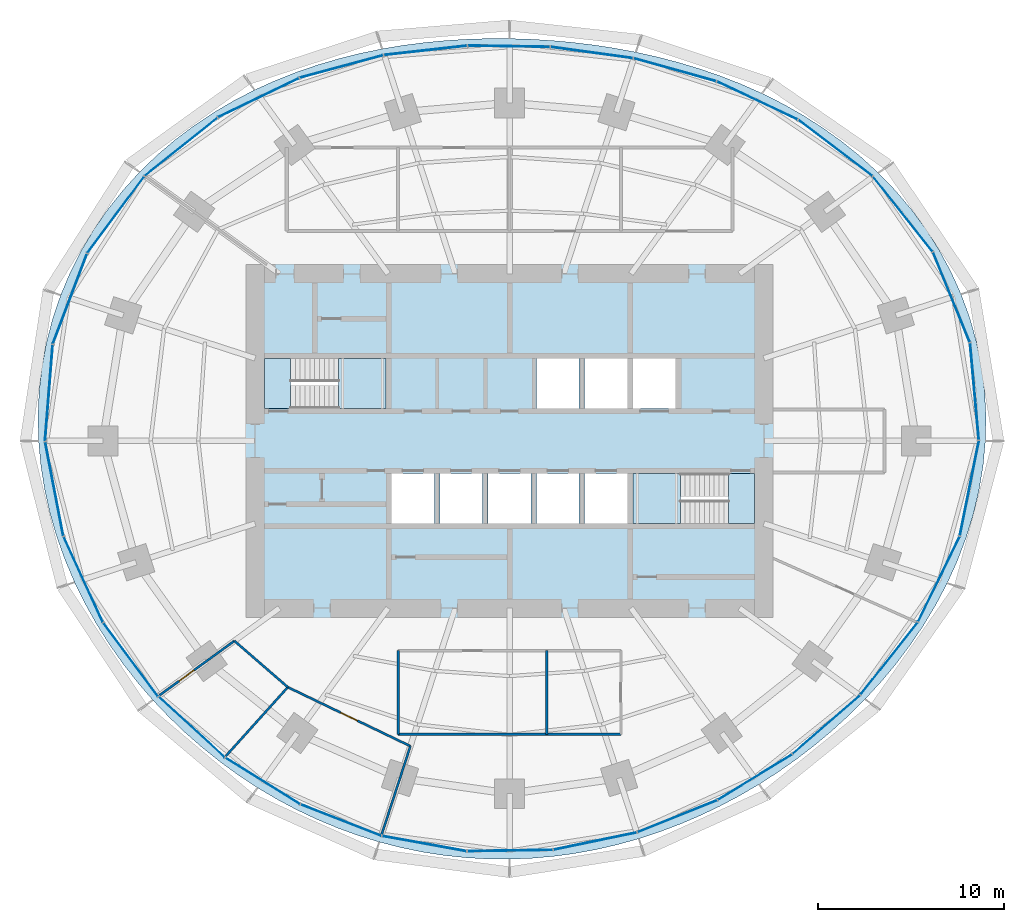
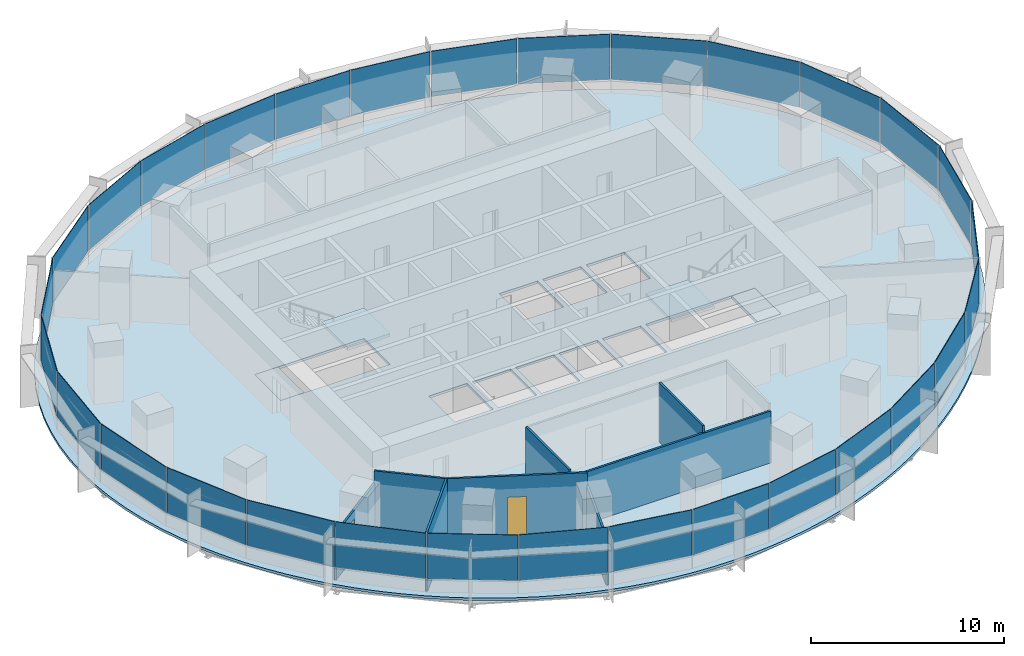
# One storey, part 9 of 14: 30 plates, 8 walls, 5 slabs, 2 doors, 2 openings, 8 elements without a shape of their own.
"""IFC4 building model written with IfcOpenShell, lengths in metres."""

from ifc_helpers import new_model, si_unit, direction, frame, frame_2d, origin, origin_2d, place, context, subcontext, project, spatial, polyline, rectangle, outline, extrude, material, layer, layer_set, type_object, element, fill, aggregate, save


model = new_model("IFC4")

# Units and contexts
model_context = context("Model", 3, precision=1e-05, world=origin(), true_north=direction((0.0, 1.0)))
body_context = subcontext(model_context, "Body", "Model", "MODEL_VIEW")
ifc_project = project(units=[si_unit("LENGTHUNIT", "METRE"), si_unit("AREAUNIT", "SQUARE_METRE"), si_unit("VOLUMEUNIT", "CUBIC_METRE"), si_unit("PLANEANGLEUNIT", "RADIAN"), si_unit("MASSUNIT", "GRAM", prefix="KILO")], contexts=[model_context])

# Site, building, storey
site_placement = place(None, origin())
site = spatial("IfcSite", under=ifc_project, at=site_placement, CompositionType="ELEMENT")
building_placement = place(site_placement, origin())
building = spatial("IfcBuilding", under=site, at=building_placement, Name="Marramba Exchange Tower", CompositionType="ELEMENT")
storey_placement = place(building_placement, frame((0.0, 0.0, 154.800048828125)))
storey = spatial("IfcBuildingStorey", under=building, at=storey_placement, Name="L37", CompositionType="ELEMENT", Elevation=154.800048828125)

# Slab
ifc_material_1 = material(Name="Concrete N40", Category="concrete")
ifc_layer_1 = layer(ifc_material_1, 0.159912109375)
ifc_layer_set_1 = layer_set([ifc_layer_1], Name="Composite floor slab 160")
slab_type_1 = type_object("IfcSlabType", Name="Composite floor slab 160", PredefinedType="FLOOR", material=ifc_layer_set_1)
slab_1_placement = place(storey_placement, frame((0.0, 0.0, -0.16015625)))
element("IfcSlab", 1, at=slab_1_placement, inside=storey, type_object=slab_type_1, Name="Floor slab L37", PredefinedType="FLOOR", context=body_context, shape_type="SweptSolid", body=[
    extrude(outline(polyline([(25.632080078125, 0.0), (25.66064453125, 1.3447265625), (25.59033203125, 2.689697265625), (25.420166015625, 4.026123046875), (25.15087890625, 5.345947265625), (24.7841796875, 6.640869140625), (24.322998046875, 7.903076171875), (23.771484375, 9.125), (23.135009765625, 10.30029296875), (22.419677734375, 11.42333984375), (21.632080078125, 12.4892578125), (20.779541015625, 13.494384765625), (19.869384765625, 14.43603515625), (18.9091796875, 15.3125), (17.90625, 16.122802734375), (16.86767578125, 16.86767578125), (15.800048828125, 17.5478515625), (14.70947265625, 18.164794921875), (13.6015625, 18.720947265625), (12.48095703125, 19.218994140625), (11.3515625, 19.66162109375), (10.217041015625, 20.05224609375), (9.079833984375, 20.393798828125), (7.94189453125, 20.689453125), (6.804443359375, 20.942138671875), (5.668212890625, 21.154296875), (4.533447265625, 21.328369140625), (3.39990234375, 21.46630859375), (2.26708984375, 21.5693359375), (1.134033203125, 21.63818359375), (0.0, 21.673095703125), (-1.135986328125, 21.673828125), (-2.2744140625, 21.6396484375), (-3.416259765625, 21.5693359375), (-4.5615234375, 21.460693359375), (-5.71044921875, 21.31201171875), (-6.8623046875, 21.1201171875), (-8.01611328125, 20.8828125), (-9.170166015625, 20.5966796875), (-10.322509765625, 20.2587890625), (-11.4697265625, 19.8662109375), (-12.60888671875, 19.415771484375), (-13.7353515625, 18.905029296875), (-14.8447265625, 18.331787109375), (-15.931640625, 17.69384765625), (-16.989990234375, 16.989990234375), (-18.013916015625, 16.2197265625), (-18.996826171875, 15.38330078125), (-19.931884765625, 14.4814453125), (-20.8125, 13.515869140625), (-21.632080078125, 12.4892578125), (-22.384033203125, 11.4052734375), (-23.0625, 10.26806640625), (-23.661865234375, 9.0830078125), (-24.177734375, 7.855712890625), (-24.605712890625, 6.593017578125), (-24.943603515625, 5.302001953125), (-25.18896484375, 3.989501953125), (-25.341064453125, 2.663330078125), (-25.400390625, 1.3310546875), (-25.367919921875, 0.0), (-25.246337890625, -1.322998046875), (-25.038818359375, -2.631591796875), (-24.748779296875, -3.919921875), (-24.381103515625, -5.182373046875), (-23.940185546875, -6.414794921875), (-23.431396484375, -7.61328125), (-22.859130859375, -8.77490234375), (-22.22900390625, -9.89697265625), (-21.545166015625, -10.977783203125), (-20.81201171875, -12.015869140625), (-20.033935546875, -13.010009765625), (-19.2138671875, -13.959716796875), (-18.35546875, -14.86376953125), (-17.461181640625, -15.72216796875), (-16.53369140625, -16.53369140625), (-15.5751953125, -17.298095703125), (-14.587646484375, -18.014404296875), (-13.5732421875, -18.681884765625), (-12.533203125, -19.299560546875), (-11.4697265625, -19.8662109375), (-10.384765625, -20.381103515625), (-9.27978515625, -20.8427734375), (-8.157470703125, -21.250732421875), (-7.019287109375, -21.603271484375), (-5.8681640625, -21.900146484375), (-4.7060546875, -22.14013671875), (-3.53564453125, -22.322998046875), (-2.359375, -22.448486328125), (-1.179931640625, -22.516357421875), (0.0, -22.52685546875), (1.17822265625, -22.480712890625), (2.35205078125, -22.3779296875), (3.519287109375, -22.22021484375), (4.677978515625, -22.0078125), (5.825927734375, -21.742431640625), (6.96142578125, -21.425048828125), (8.0830078125, -21.05712890625), (9.189453125, -20.639892578125), (10.279296875, -20.17431640625), (11.3515625, -19.66162109375), (12.4052734375, -19.1025390625), (13.439453125, -18.497802734375), (14.45263671875, -17.847412109375), (15.44384765625, -17.152099609375), (16.411376953125, -16.411376953125), (17.353515625, -15.625244140625), (18.267822265625, -14.79296875), (19.1513671875, -13.914306640625), (20.000732421875, -12.98876953125), (20.81201171875, -12.015869140625), (21.580810546875, -10.995849609375), (22.301513671875, -9.92919921875), (22.96875, -8.81689453125), (23.57666015625, -7.660400390625), (24.11865234375, -6.462646484375), (24.588623046875, -5.2265625), (24.980224609375, -3.95654296875), (25.2880859375, -2.657958984375), (25.5068359375, -1.336669921875), (25.632080078125, 0.0)]), holes=[polyline([(1.449951171875, 1.75), (3.75, 1.75), (3.75, 4.449951171875), (1.449951171875, 4.449951171875), (1.449951171875, 1.75)]), polyline([(4.050048828125, 1.75), (6.35009765625, 1.75), (6.35009765625, 4.449951171875), (4.050048828125, 4.449951171875), (4.050048828125, 1.75)]), polyline([(-6.35009765625, -4.449951171875), (-4.050048828125, -4.449951171875), (-4.050048828125, -1.75), (-6.35009765625, -1.75), (-6.35009765625, -4.449951171875)]), polyline([(-3.75, -4.449951171875), (-1.449951171875, -4.449951171875), (-1.449951171875, -1.75), (-3.75, -1.75), (-3.75, -4.449951171875)]), polyline([(-1.14990234375, -4.449951171875), (1.14990234375, -4.449951171875), (1.14990234375, -1.75), (-1.14990234375, -1.75), (-1.14990234375, -4.449951171875)]), polyline([(1.449951171875, -4.449951171875), (3.75, -4.449951171875), (3.75, -1.75), (1.449951171875, -1.75), (1.449951171875, -4.449951171875)]), polyline([(4.050048828125, -4.449951171875), (6.35009765625, -4.449951171875), (6.35009765625, -1.75), (4.050048828125, -1.75), (4.050048828125, -4.449951171875)]), polyline([(6.64990234375, 1.75), (8.949951171875, 1.75), (8.949951171875, 4.449951171875), (6.64990234375, 4.449951171875), (6.64990234375, 1.75)]), polyline([(-13.199951171875, 1.75), (-6.64990234375, 1.75), (-6.64990234375, 4.449951171875), (-13.199951171875, 4.449951171875), (-13.199951171875, 1.75)]), polyline([(6.64990234375, -4.449951171875), (13.199951171875, -4.449951171875), (13.199951171875, -1.75), (6.64990234375, -1.75), (6.64990234375, -4.449951171875)])]), origin(), (0.0, 0.0, 1.0), 0.16015625),
])

# Curtain wall, plates
ifc_material_2 = material(Name="Aluminium framing, bronze anodised", Category="aluminium")
curtain_wall_type = type_object("IfcCurtainWallType", Name="Office ribbon curtain wall", PredefinedType="USERDEFINED", material=ifc_material_2)
curtain_wall_1_placement = place(storey_placement, origin())
curtain_wall_1 = element("IfcCurtainWall", 2, at=curtain_wall_1_placement, inside=storey, type_object=curtain_wall_type, Name="Curtain wall CW4 L37 F01-F05", ObjectType="RIBBON CURTAIN WALL", PredefinedType="USERDEFINED")
ifc_material_3 = material(Name="Laminated double glazed unit 10.76 + 16 + 10.76, bronze tinted", Category="glass")
ifc_layer_2 = layer(ifc_material_3, 0.03759765625)
ifc_layer_set_2 = layer_set([ifc_layer_2], Name="Office ribbon curtain wall panel")
plate_type = type_object("IfcPlateType", Name="Office ribbon curtain wall panel", PredefinedType="CURTAIN_PANEL", material=ifc_layer_set_2)
plate_1_placement = place(storey_placement, frame((25.042724609375, 2.66650390625, 0.860107421875), z_axis=(0.0, 0.0, 1.0), x_axis=(-0.089412887889, 0.995994646311, 0.0)))
plate_1 = element("IfcPlate", 3, at=plate_1_placement, type_object=plate_type, Name="CW4 vision panel", PredefinedType="CURTAIN_PANEL", context=body_context, shape_type="SweptSolid", body=[
    extrude(rectangle(XDim=5.234375, YDim=0.03759765625, at=origin_2d()), origin(), (0.0, 0.0, 1.0), 2.8798828125),
])
plate_2_placement = place(storey_placement, frame((23.800537109375, 7.743408203125, 0.860107421875), z_axis=(0.0, 0.0, 1.0), x_axis=(-0.377821183171, 0.925878584668, 0.0)))
plate_2 = element("IfcPlate", 4, at=plate_2_placement, type_object=plate_type, Name="CW4 vision panel", PredefinedType="CURTAIN_PANEL", context=body_context, shape_type="SweptSolid", body=[
    extrude(rectangle(XDim=5.2158203125, YDim=0.03759765625, at=origin_2d()), origin(), (0.0, 0.0, 1.0), 2.8798828125),
])
plate_3_placement = place(storey_placement, frame((21.18212890625, 12.217529296875, 0.860107421875), z_axis=(0.0, 0.0, 1.0), x_axis=(-0.621312004611, 0.783563266703, 0.0)))
plate_3 = element("IfcPlate", 5, at=plate_3_placement, type_object=plate_type, Name="CW4 vision panel", PredefinedType="CURTAIN_PANEL", context=body_context, shape_type="SweptSolid", body=[
    extrude(rectangle(XDim=5.136962890625, YDim=0.03759765625, at=origin_2d()), origin(), (0.0, 0.0, 1.0), 2.8798828125),
])
plate_4_placement = place(storey_placement, frame((17.55224609375, 15.777099609375, 0.860107421875), z_axis=(0.0, 0.0, 1.0), x_axis=(-0.795971748366, 0.60533377223, 0.0)))
plate_4 = element("IfcPlate", 6, at=plate_4_placement, type_object=plate_type, Name="CW4 vision panel", PredefinedType="CURTAIN_PANEL", context=body_context, shape_type="SweptSolid", body=[
    extrude(rectangle(XDim=4.990966796875, YDim=0.03759765625, at=origin_2d()), origin(), (0.0, 0.0, 1.0), 2.8798828125),
])
plate_5_placement = place(storey_placement, frame((13.34423828125, 18.3359375, 0.860107421875), z_axis=(0.0, 0.0, 1.0), x_axis=(-0.904403137485, 0.426678995157, 0.0)))
plate_5 = element("IfcPlate", 7, at=plate_5_placement, type_object=plate_type, Name="CW4 vision panel", PredefinedType="CURTAIN_PANEL", context=body_context, shape_type="SweptSolid", body=[
    extrude(rectangle(XDim=4.793212890625, YDim=0.03759765625, at=origin_2d()), origin(), (0.0, 0.0, 1.0), 2.8798828125),
])
aggregate(curtain_wall_1, [plate_1, plate_2, plate_3, plate_4, plate_5])

curtain_wall_2_placement = place(storey_placement, origin())
curtain_wall_2 = element("IfcCurtainWall", 8, at=curtain_wall_2_placement, inside=storey, type_object=curtain_wall_type, Name="Curtain wall CW4 L37 F06-F10", ObjectType="RIBBON CURTAIN WALL", PredefinedType="USERDEFINED")
plate_6_placement = place(storey_placement, frame((8.907470703125, 19.991943359375, 0.860107421875), z_axis=(0.0, 0.0, 1.0), x_axis=(-0.963177845956, 0.268865090816, 0.0)))
plate_6 = element("IfcPlate", 9, at=plate_6_placement, type_object=plate_type, Name="CW4 vision panel", PredefinedType="CURTAIN_PANEL", context=body_context, shape_type="SweptSolid", body=[
    extrude(rectangle(XDim=4.591552734375, YDim=0.03759765625, at=origin_2d()), origin(), (0.0, 0.0, 1.0), 2.8798828125),
])
plate_7_placement = place(storey_placement, frame((4.43359375, 20.919189453125, 0.860107421875), z_axis=(0.0, 0.0, 1.0), x_axis=(-0.990738212841, 0.135785837319, 0.0)))
plate_7 = element("IfcPlate", 10, at=plate_7_placement, type_object=plate_type, Name="CW4 vision panel", PredefinedType="CURTAIN_PANEL", context=body_context, shape_type="SweptSolid", body=[
    extrude(rectangle(XDim=4.447509765625, YDim=0.03759765625, at=origin_2d()), origin(), (0.0, 0.0, 1.0), 2.8798828125),
])
plate_8_placement = place(storey_placement, frame((-0.03369140625, 21.2568359375, 0.860107421875), z_axis=(0.0, 0.0, 1.0), x_axis=(-0.999875869968, 0.01575578169, 0.0)))
plate_8 = element("IfcPlate", 11, at=plate_8_placement, type_object=plate_type, Name="CW4 vision panel", PredefinedType="CURTAIN_PANEL", context=body_context, shape_type="SweptSolid", body=[
    extrude(rectangle(XDim=4.408935546875, YDim=0.03759765625, at=origin_2d()), origin(), (0.0, 0.0, 1.0), 2.8798828125),
])
plate_9_placement = place(storey_placement, frame((-4.52587890625, 21.0361328125, 0.860107421875), z_axis=(0.0, 0.0, 1.0), x_axis=(-0.993823395532, -0.110973233233, 0.0)))
plate_9 = element("IfcPlate", 12, at=plate_9_placement, type_object=plate_type, Name="CW4 vision panel", PredefinedType="CURTAIN_PANEL", context=body_context, shape_type="SweptSolid", body=[
    extrude(rectangle(XDim=4.484375, YDim=0.03759765625, at=origin_2d()), origin(), (0.0, 0.0, 1.0), 2.8798828125),
])
plate_10_placement = place(storey_placement, frame((-9.053466796875, 20.16748046875, 0.860107421875), z_axis=(0.0, 0.0, 1.0), x_axis=(-0.965522047176, -0.260321294588, 0.0)))
plate_10 = element("IfcPlate", 13, at=plate_10_placement, type_object=plate_type, Name="CW4 vision panel", PredefinedType="CURTAIN_PANEL", context=body_context, shape_type="SweptSolid", body=[
    extrude(rectangle(XDim=4.642578125, YDim=0.03759765625, at=origin_2d()), origin(), (0.0, 0.0, 1.0), 2.8798828125),
])
aggregate(curtain_wall_2, [plate_6, plate_7, plate_8, plate_9, plate_10])

curtain_wall_3_placement = place(storey_placement, origin())
curtain_wall_3 = element("IfcCurtainWall", 14, at=curtain_wall_3_placement, inside=storey, type_object=curtain_wall_type, Name="Curtain wall CW4 L37 F11-F15", ObjectType="RIBBON CURTAIN WALL", PredefinedType="USERDEFINED")
plate_11_placement = place(storey_placement, frame((-13.52294921875, 18.4853515625, 0.860107421875), z_axis=(0.0, 0.0, 1.0), x_axis=(-0.900223739881, -0.435427626771, 0.0)))
plate_11 = element("IfcPlate", 15, at=plate_11_placement, type_object=plate_type, Name="CW4 vision panel", PredefinedType="CURTAIN_PANEL", context=body_context, shape_type="SweptSolid", body=[
    extrude(rectangle(XDim=4.83056640625, YDim=0.03759765625, at=origin_2d()), origin(), (0.0, 0.0, 1.0), 2.8798828125),
])
plate_12_placement = place(storey_placement, frame((-17.696533203125, 15.8359375, 0.860107421875), z_axis=(0.0, 0.0, 1.0), x_axis=(-0.78117833008, -0.624307950145, 0.0)))
plate_12 = element("IfcPlate", 16, at=plate_12_placement, type_object=plate_type, Name="CW4 vision panel", PredefinedType="CURTAIN_PANEL", context=body_context, shape_type="SweptSolid", body=[
    extrude(rectangle(XDim=4.998291015625, YDim=0.03759765625, at=origin_2d()), origin(), (0.0, 0.0, 1.0), 2.8798828125),
])
plate_13_placement = place(storey_placement, frame((-21.213623046875, 12.1767578125, 0.860107421875), z_axis=(0.0, 0.0, 1.0), x_axis=(-0.597703997504, -0.80171686484, 0.0)))
plate_13 = element("IfcPlate", 17, at=plate_13_placement, type_object=plate_type, Name="CW4 vision panel", PredefinedType="CURTAIN_PANEL", context=body_context, shape_type="SweptSolid", body=[
    extrude(rectangle(XDim=5.116455078125, YDim=0.03759765625, at=origin_2d()), origin(), (0.0, 0.0, 1.0), 2.8798828125),
])
plate_14_placement = place(storey_placement, frame((-23.6826171875, 7.6494140625, 0.860107421875), z_axis=(0.0, 0.0, 1.0), x_axis=(-0.354844468484, -0.934925346317, 0.0)))
plate_14 = element("IfcPlate", 18, at=plate_14_placement, type_object=plate_type, Name="CW4 vision panel", PredefinedType="CURTAIN_PANEL", context=body_context, shape_type="SweptSolid", body=[
    extrude(rectangle(XDim=5.177490234375, YDim=0.03759765625, at=origin_2d()), origin(), (0.0, 0.0, 1.0), 2.8798828125),
])
plate_15_placement = place(storey_placement, frame((-24.81201171875, 2.584716796875, 0.860107421875), z_axis=(0.0, 0.0, 1.0), x_axis=(-0.079459696383, -0.996838079455, 0.0)))
plate_15 = element("IfcPlate", 19, at=plate_15_placement, type_object=plate_type, Name="CW4 vision panel", PredefinedType="CURTAIN_PANEL", context=body_context, shape_type="SweptSolid", body=[
    extrude(rectangle(XDim=5.185791015625, YDim=0.03759765625, at=origin_2d()), origin(), (0.0, 0.0, 1.0), 2.8798828125),
])
aggregate(curtain_wall_3, [plate_11, plate_12, plate_13, plate_14, plate_15])

curtain_wall_4_placement = place(storey_placement, origin())
curtain_wall_4 = element("IfcCurtainWall", 20, at=curtain_wall_4_placement, inside=storey, type_object=curtain_wall_type, Name="Curtain wall CW4 L37 F16-F20", ObjectType="RIBBON CURTAIN WALL", PredefinedType="USERDEFINED")
plate_16_placement = place(storey_placement, frame((-24.522705078125, -2.584228515625, 0.860107421875), z_axis=(0.0, 0.0, 1.0), x_axis=(0.18822721487, -0.982125509078, 0.0)))
plate_16 = element("IfcPlate", 21, at=plate_16_placement, type_object=plate_type, Name="CW4 vision panel", PredefinedType="CURTAIN_PANEL", context=body_context, shape_type="SweptSolid", body=[
    extrude(rectangle(XDim=5.142578125, YDim=0.03759765625, at=origin_2d()), origin(), (0.0, 0.0, 1.0), 2.8798828125),
])
plate_17_placement = place(storey_placement, frame((-22.96142578125, -7.45947265625, 0.860107421875), z_axis=(0.0, 0.0, 1.0), x_axis=(0.416737848929, -0.909026713177, 0.0)))
plate_17 = element("IfcPlate", 22, at=plate_17_placement, type_object=plate_type, Name="CW4 vision panel", PredefinedType="CURTAIN_PANEL", context=body_context, shape_type="SweptSolid", body=[
    extrude(rectangle(XDim=5.0498046875, YDim=0.03759765625, at=origin_2d()), origin(), (0.0, 0.0, 1.0), 2.8798828125),
])
plate_18_placement = place(storey_placement, frame((-20.402099609375, -11.7783203125, 0.860107421875), z_axis=(0.0, 0.0, 1.0), x_axis=(0.597304697033, -0.802014400683, 0.0)))
plate_18 = element("IfcPlate", 23, at=plate_18_placement, type_object=plate_type, Name="CW4 vision panel", PredefinedType="CURTAIN_PANEL", context=body_context, shape_type="SweptSolid", body=[
    extrude(rectangle(XDim=4.926513671875, YDim=0.03759765625, at=origin_2d()), origin(), (0.0, 0.0, 1.0), 2.8798828125),
])
plate_19_placement = place(storey_placement, frame((-17.11376953125, -15.416259765625, 0.860107421875), z_axis=(0.0, 0.0, 1.0), x_axis=(0.737821886077, -0.674995455115, 0.0)))
plate_19 = element("IfcPlate", 24, at=plate_19_placement, type_object=plate_type, Name="CW4 vision panel", PredefinedType="CURTAIN_PANEL", context=body_context, shape_type="SweptSolid", body=[
    extrude(rectangle(XDim=4.80517578125, YDim=0.03759765625, at=origin_2d()), origin(), (0.0, 0.0, 1.0), 2.8798828125),
])
plate_20_placement = place(storey_placement, frame((-13.29248046875, -18.31640625, 0.860107421875), z_axis=(0.0, 0.0, 1.0), x_axis=(0.84835459748, -0.52942844364, 0.0)))
plate_20 = element("IfcPlate", 25, at=plate_20_placement, type_object=plate_type, Name="CW4 vision panel", PredefinedType="CURTAIN_PANEL", context=body_context, shape_type="SweptSolid", body=[
    extrude(rectangle(XDim=4.70947265625, YDim=0.03759765625, at=origin_2d()), origin(), (0.0, 0.0, 1.0), 2.8798828125),
])
aggregate(curtain_wall_4, [plate_16, plate_17, plate_18, plate_19, plate_20])

curtain_wall_5_placement = place(storey_placement, origin())
curtain_wall_5 = element("IfcCurtainWall", 26, at=curtain_wall_5_placement, inside=storey, type_object=curtain_wall_type, Name="Curtain wall CW4 L37 F21-F25", ObjectType="RIBBON CURTAIN WALL", PredefinedType="USERDEFINED")
plate_21_placement = place(storey_placement, frame((-9.074951171875, -20.427734375, 0.860107421875), z_axis=(0.0, 0.0, 1.0), x_axis=(0.931818390344, -0.36292490603, 0.0)))
plate_21 = element("IfcPlate", 27, at=plate_21_placement, type_object=plate_type, Name="CW4 vision panel", PredefinedType="CURTAIN_PANEL", context=body_context, shape_type="SweptSolid", body=[
    extrude(rectangle(XDim=4.644287109375, YDim=0.03759765625, at=origin_2d()), origin(), (0.0, 0.0, 1.0), 2.8798828125),
])
plate_22_placement = place(storey_placement, frame((-4.58740234375, -21.690673828125, 0.860107421875), z_axis=(0.0, 0.0, 1.0), x_axis=(0.984031865834, -0.177992379115, 0.0)))
plate_22 = element("IfcPlate", 28, at=plate_22_placement, type_object=plate_type, Name="CW4 vision panel", PredefinedType="CURTAIN_PANEL", context=body_context, shape_type="SweptSolid", body=[
    extrude(rectangle(XDim=4.602783203125, YDim=0.03759765625, at=origin_2d()), origin(), (0.0, 0.0, 1.0), 2.8798828125),
])
plate_23_placement = place(storey_placement, frame((0.0263671875, -22.064697265625, 0.860107421875), z_axis=(0.0, 0.0, 1.0), x_axis=(0.999884797709, 0.015178646521, 0.0)))
plate_23 = element("IfcPlate", 29, at=plate_23_placement, type_object=plate_type, Name="CW4 vision panel", PredefinedType="CURTAIN_PANEL", context=body_context, shape_type="SweptSolid", body=[
    extrude(rectangle(XDim=4.578857421875, YDim=0.03759765625, at=origin_2d()), origin(), (0.0, 0.0, 1.0), 2.8798828125),
])
plate_24_placement = place(storey_placement, frame((4.61376953125, -21.554931640625, 0.860107421875), z_axis=(0.0, 0.0, 1.0), x_axis=(0.979310199794, 0.202364850159, 0.0)))
plate_24 = element("IfcPlate", 30, at=plate_24_placement, type_object=plate_type, Name="CW4 vision panel", PredefinedType="CURTAIN_PANEL", context=body_context, shape_type="SweptSolid", body=[
    extrude(rectangle(XDim=4.57373046875, YDim=0.03759765625, at=origin_2d()), origin(), (0.0, 0.0, 1.0), 2.8798828125),
])
plate_25_placement = place(storey_placement, frame((9.042724609375, -20.214111328125, 0.860107421875), z_axis=(0.0, 0.0, 1.0), x_axis=(0.928148916059, 0.372209067082, 0.0)))
plate_25 = element("IfcPlate", 31, at=plate_25_placement, type_object=plate_type, Name="CW4 vision panel", PredefinedType="CURTAIN_PANEL", context=body_context, shape_type="SweptSolid", body=[
    extrude(rectangle(XDim=4.59814453125, YDim=0.03759765625, at=origin_2d()), origin(), (0.0, 0.0, 1.0), 2.8798828125),
])
aggregate(curtain_wall_5, [plate_21, plate_22, plate_23, plate_24, plate_25])

curtain_wall_6_placement = place(storey_placement, origin())
curtain_wall_6 = element("IfcCurtainWall", 32, at=curtain_wall_6_placement, inside=storey, type_object=curtain_wall_type, Name="Curtain wall CW4 L37 F26-F30", ObjectType="RIBBON CURTAIN WALL", PredefinedType="USERDEFINED")
plate_26_placement = place(storey_placement, frame((13.21875, -18.109619140625, 0.860107421875), z_axis=(0.0, 0.0, 1.0), x_axis=(0.853109114492, 0.521732535664, 0.0)))
plate_26 = element("IfcPlate", 33, at=plate_26_placement, type_object=plate_type, Name="CW4 vision panel", PredefinedType="CURTAIN_PANEL", context=body_context, shape_type="SweptSolid", body=[
    extrude(rectangle(XDim=4.66748046875, YDim=0.03759765625, at=origin_2d()), origin(), (0.0, 0.0, 1.0), 2.8798828125),
])
plate_27_placement = place(storey_placement, frame((17.0615234375, -15.280517578125, 0.860107421875), z_axis=(0.0, 0.0, 1.0), x_axis=(0.754385506384, 0.656431647438, 0.0)))
plate_27 = element("IfcPlate", 34, at=plate_27_placement, type_object=plate_type, Name="CW4 vision panel", PredefinedType="CURTAIN_PANEL", context=body_context, shape_type="SweptSolid", body=[
    extrude(rectangle(XDim=4.789794921875, YDim=0.03759765625, at=origin_2d()), origin(), (0.0, 0.0, 1.0), 2.8798828125),
])
plate_28_placement = place(storey_placement, frame((20.443603515625, -11.724365234375, 0.860107421875), z_axis=(0.0, 0.0, 1.0), x_axis=(0.621807472329, 0.783170139469, 0.0)))
plate_28 = element("IfcPlate", 35, at=plate_28_placement, type_object=plate_type, Name="CW4 vision panel", PredefinedType="CURTAIN_PANEL", context=body_context, shape_type="SweptSolid", body=[
    extrude(rectangle(XDim=4.947265625, YDim=0.03759765625, at=origin_2d()), origin(), (0.0, 0.0, 1.0), 2.8798828125),
])
plate_29_placement = place(storey_placement, frame((23.127197265625, -7.443359375, 0.860107421875), z_axis=(0.0, 0.0, 1.0), x_axis=(0.439086342308, 0.89844486976, 0.0)))
plate_29 = element("IfcPlate", 36, at=plate_29_placement, type_object=plate_type, Name="CW4 vision panel", PredefinedType="CURTAIN_PANEL", context=body_context, shape_type="SweptSolid", body=[
    extrude(rectangle(XDim=5.096923828125, YDim=0.03759765625, at=origin_2d()), origin(), (0.0, 0.0, 1.0), 2.8798828125),
])
plate_30_placement = place(storey_placement, frame((24.77001953125, -2.54736328125, 0.860107421875), z_axis=(0.0, 0.0, 1.0), x_axis=(0.197048511267, 0.980393739376, 0.0)))
plate_30 = element("IfcPlate", 37, at=plate_30_placement, type_object=plate_type, Name="CW4 vision panel", PredefinedType="CURTAIN_PANEL", context=body_context, shape_type="SweptSolid", body=[
    extrude(rectangle(XDim=5.19677734375, YDim=0.03759765625, at=origin_2d()), origin(), (0.0, 0.0, 1.0), 2.8798828125),
])
aggregate(curtain_wall_6, [plate_26, plate_27, plate_28, plate_29, plate_30])

# Stair, slabs
ifc_material_4 = material(Name="Concrete N40 (40 MPa)", Category="concrete")
stair_type_1 = type_object("IfcStairType", Name="Exit stair ST1 3900 x 1250", PredefinedType="HALF_TURN_STAIR", material=ifc_material_4)
stair_1_placement = place(storey_placement, origin())
stair_1 = element("IfcStair", 38, at=stair_1_placement, inside=storey, type_object=stair_type_1, Name="Exit stair ST1 L37", PredefinedType="HALF_TURN_STAIR")
ifc_layer_3 = layer(ifc_material_4, 0.199951171875)
ifc_layer_set_3 = layer_set([ifc_layer_3], Name="Stair landing 200")
slab_type_2 = type_object("IfcSlabType", Name="Stair landing 200", PredefinedType="LANDING", material=ifc_layer_set_3)
slab_2_placement = place(storey_placement, frame((0.0, 0.0, -0.199951171875)))
slab_2 = element("IfcSlab", 39, at=slab_2_placement, type_object=slab_type_2, Name="ST1 landing 1", PredefinedType="LANDING", context=body_context, shape_type="SweptSolid", body=[
    extrude(outline(polyline([(-13.199951171875, 1.75), (-11.800048828125, 1.75), (-11.800048828125, 4.449951171875), (-13.199951171875, 4.449951171875), (-13.199951171875, 1.75)])), origin(), (0.0, 0.0, 1.0), 0.199951171875),
])
slab_3_placement = place(storey_placement, frame((0.0, 0.0, 1.75)))
slab_3 = element("IfcSlab", 40, at=slab_3_placement, type_object=slab_type_2, Name="ST1 landing 2", PredefinedType="LANDING", context=body_context, shape_type="SweptSolid", body=[
    extrude(outline(polyline([(-9.199951171875, 1.75), (-6.64990234375, 1.75), (-6.64990234375, 4.449951171875), (-9.199951171875, 4.449951171875), (-9.199951171875, 1.75)])), origin(), (0.0, 0.0, 1.0), 0.199951171875),
])
aggregate(stair_1, [slab_2, slab_3])

stair_type_2 = type_object("IfcStairType", Name="Exit stair ST2 3900 x 1250", PredefinedType="HALF_TURN_STAIR", material=ifc_material_4)
stair_2_placement = place(storey_placement, origin())
stair_2 = element("IfcStair", 41, at=stair_2_placement, inside=storey, type_object=stair_type_2, Name="Exit stair ST2 L37", PredefinedType="HALF_TURN_STAIR")
slab_4_placement = place(storey_placement, frame((0.0, 0.0, -0.199951171875)))
slab_4 = element("IfcSlab", 42, at=slab_4_placement, type_object=slab_type_2, Name="ST2 landing 1", PredefinedType="LANDING", context=body_context, shape_type="SweptSolid", body=[
    extrude(outline(polyline([(11.800048828125, -4.449951171875), (13.199951171875, -4.449951171875), (13.199951171875, -1.75), (11.800048828125, -1.75), (11.800048828125, -4.449951171875)])), origin(), (0.0, 0.0, 1.0), 0.199951171875),
])
slab_5_placement = place(storey_placement, frame((0.0, 0.0, 1.75)))
slab_5 = element("IfcSlab", 43, at=slab_5_placement, type_object=slab_type_2, Name="ST2 landing 2", PredefinedType="LANDING", context=body_context, shape_type="SweptSolid", body=[
    extrude(outline(polyline([(6.64990234375, -4.449951171875), (9.199951171875, -4.449951171875), (9.199951171875, -1.75), (6.64990234375, -1.75), (6.64990234375, -4.449951171875)])), origin(), (0.0, 0.0, 1.0), 0.199951171875),
])
aggregate(stair_2, [slab_4, slab_5])

# Wall, opening, door
ifc_material_5 = material(Name="Plasterboard on steel studs", Category="steel")
ifc_layer_4 = layer(ifc_material_5, 0.1201171875)
ifc_layer_set_4 = layer_set([ifc_layer_4], Name="Partition 120")
wall_type = type_object("IfcWallType", Name="Partition 120", PredefinedType="PARTITIONING", material=ifc_layer_set_4)
wall_1_placement = place(storey_placement, frame((-14.82080078125, -10.76806640625, 0.0), z_axis=(0.0, 0.0, 1.0), x_axis=(-0.809042143657, -0.587750635718, 0.0)))
wall_1 = element("IfcWall", 44, at=wall_1_placement, inside=storey, type_object=wall_type, Name="Partition L37 01", PredefinedType="PARTITIONING", context=body_context, shape_type="SweptSolid", body=[
    extrude(rectangle(XDim=5.0, YDim=0.1201171875, at=frame_2d((2.5, 0.0))), origin(), (0.0, 0.0, 1.0), 2.93994140625),
])
opening_1_placement = place(wall_1_placement, frame((2.68505859375, 0.0, 0.0)))
opening_1 = element("IfcOpeningElement", 45, at=opening_1_placement, cuts=wall_1, Name="Opening D9", PredefinedType="OPENING", context=body_context, shape_type="SweptSolid", body=[
    extrude(rectangle(XDim=1.0, YDim=2.39990234375, at=frame_2d((0.5, 1.199951171875))), frame((0.0, 0.070068359375, 0.0), z_axis=(0.0, -1.0, 0.0), x_axis=(1.0, 0.0, 0.0)), (0.0, 0.0, 1.0), 0.14013671875),
])
ifc_material_6 = material(Name="Timber door", Category="wood")
door_type = type_object("IfcDoorType", Name="Room door 1000x2400", OperationType="SINGLE_SWING_LEFT", PredefinedType="DOOR", material=ifc_material_6)
door_1_placement = place(opening_1_placement, origin())
door_1 = element("IfcDoor", 46, at=door_1_placement, inside=storey, type_object=door_type, Name="D9 Office 1 L37", OperationType="SINGLE_SWING_RIGHT", OverallHeight=2.39990234375, OverallWidth=1.0, PredefinedType="DOOR", context=body_context, shape_type="SweptSolid", body=[
    extrude(rectangle(XDim=1.0, YDim=2.39990234375, at=frame_2d((0.5, 1.199951171875))), frame((0.0, 0.02490234375, 0.0), z_axis=(0.0, -1.0, 0.0), x_axis=(1.0, 0.0, 0.0)), (0.0, 0.0, 1.0), 0.050048828125),
])
fill(opening_1, door_1)

# Walls
wall_2_placement = place(storey_placement, frame((-11.94189453125, -13.2626953125, 0.0), z_axis=(0.0, 0.0, 1.0), x_axis=(-0.755744060509, 0.654867097208, 0.0)))
element("IfcWall", 47, at=wall_2_placement, inside=storey, type_object=wall_type, Name="Partition L37 02", PredefinedType="PARTITIONING", context=body_context, shape_type="SweptSolid", body=[
    extrude(rectangle(XDim=3.809326171875, YDim=0.1201171875, at=frame_2d((1.90478515625, 0.0))), origin(), (0.0, 0.0, 1.0), 3.739990234375),
])
wall_3_placement = place(storey_placement, frame((-11.94189453125, -13.2626953125, 0.0), z_axis=(0.0, 0.0, 1.0), x_axis=(-0.669126573551, -0.743148456614, 0.0)))
element("IfcWall", 48, at=wall_3_placement, inside=storey, type_object=wall_type, Name="Partition L37 03", PredefinedType="PARTITIONING", context=body_context, shape_type="SweptSolid", body=[
    extrude(rectangle(XDim=5.0, YDim=0.1201171875, at=frame_2d((2.5, 0.0))), origin(), (0.0, 0.0, 1.0), 3.739990234375),
])

# Wall, opening, door
wall_4_placement = place(storey_placement, frame((-5.34130859375, -16.439208984375, 0.0), z_axis=(0.0, 0.0, 1.0), x_axis=(-0.901084159561, 0.43364425211, 0.0)))
wall_4 = element("IfcWall", 49, at=wall_4_placement, inside=storey, type_object=wall_type, Name="Partition L37 04", PredefinedType="PARTITIONING", context=body_context, shape_type="SweptSolid", body=[
    extrude(rectangle(XDim=7.3251953125, YDim=0.1201171875, at=frame_2d((3.66259765625, 0.0))), origin(), (0.0, 0.0, 1.0), 3.739990234375),
])
opening_2_placement = place(wall_4_placement, frame((3.162109375, 0.0, 0.0)))
opening_2 = element("IfcOpeningElement", 50, at=opening_2_placement, cuts=wall_4, Name="Opening D9", PredefinedType="OPENING", context=body_context, shape_type="SweptSolid", body=[
    extrude(rectangle(XDim=1.0, YDim=2.39990234375, at=frame_2d((0.5, 1.199951171875))), frame((0.0, 0.070068359375, 0.0), z_axis=(0.0, -1.0, 0.0), x_axis=(1.0, 0.0, 0.0)), (0.0, 0.0, 1.0), 0.14013671875),
])
door_2_placement = place(opening_2_placement, origin())
door_2 = element("IfcDoor", 51, at=door_2_placement, inside=storey, type_object=door_type, Name="D9 Office 2 L37", OperationType="SINGLE_SWING_LEFT", OverallHeight=2.39990234375, OverallWidth=1.0, PredefinedType="DOOR", context=body_context, shape_type="SweptSolid", body=[
    extrude(rectangle(XDim=1.0, YDim=2.39990234375, at=frame_2d((0.5, 1.199951171875))), frame((0.0, 0.02490234375, 0.0), z_axis=(0.0, -1.0, 0.0), x_axis=(1.0, 0.0, 0.0)), (0.0, 0.0, 1.0), 0.050048828125),
])
fill(opening_2, door_2)

# Walls
wall_5_placement = place(storey_placement, frame((-6.0, -15.800048828125, 0.0), z_axis=(0.0, 0.0, 1.0), x_axis=(0.0, 1.0, 0.0)))
element("IfcWall", 52, at=wall_5_placement, inside=storey, type_object=wall_type, Name="Partition L37 05", PredefinedType="PARTITIONING", context=body_context, shape_type="SweptSolid", body=[
    extrude(rectangle(XDim=4.5, YDim=0.1201171875, at=frame_2d((2.25, 0.0))), origin(), (0.0, 0.0, 1.0), 3.739990234375),
])
wall_6_placement = place(storey_placement, frame((-6.886474609375, -21.1943359375, 0.0), z_axis=(0.0, 0.0, 1.0), x_axis=(0.309040803421, 0.951048779938, 0.0)))
element("IfcWall", 53, at=wall_6_placement, inside=storey, type_object=wall_type, Name="Partition L37 06", PredefinedType="PARTITIONING", context=body_context, shape_type="SweptSolid", body=[
    extrude(rectangle(XDim=4.999755859375, YDim=0.1201171875, at=frame_2d((2.5, 0.0))), origin(), (0.0, 0.0, 1.0), 2.93994140625),
])
wall_7_placement = place(storey_placement, frame((6.0, -15.800048828125, 0.0), z_axis=(0.0, 0.0, 1.0), x_axis=(-1.0, 0.0, 0.0)))
element("IfcWall", 54, at=wall_7_placement, inside=storey, type_object=wall_type, Name="Partition L37 08", PredefinedType="PARTITIONING", context=body_context, shape_type="SweptSolid", body=[
    extrude(rectangle(XDim=12.0, YDim=0.1201171875, at=frame_2d((6.0, 0.0))), origin(), (0.0, 0.0, 1.0), 3.285888671875),
])
wall_8_placement = place(storey_placement, frame((2.0, -11.300048828125, 0.0), z_axis=(0.0, 0.0, 1.0), x_axis=(0.0, -1.0, 0.0)))
element("IfcWall", 55, at=wall_8_placement, inside=storey, type_object=wall_type, Name="Partition L37 09", PredefinedType="PARTITIONING", context=body_context, shape_type="SweptSolid", body=[
    extrude(rectangle(XDim=4.5, YDim=0.1201171875, at=frame_2d((2.25, 0.0))), origin(), (0.0, 0.0, 1.0), 3.739990234375),
])

save(model, "model.ifc")
